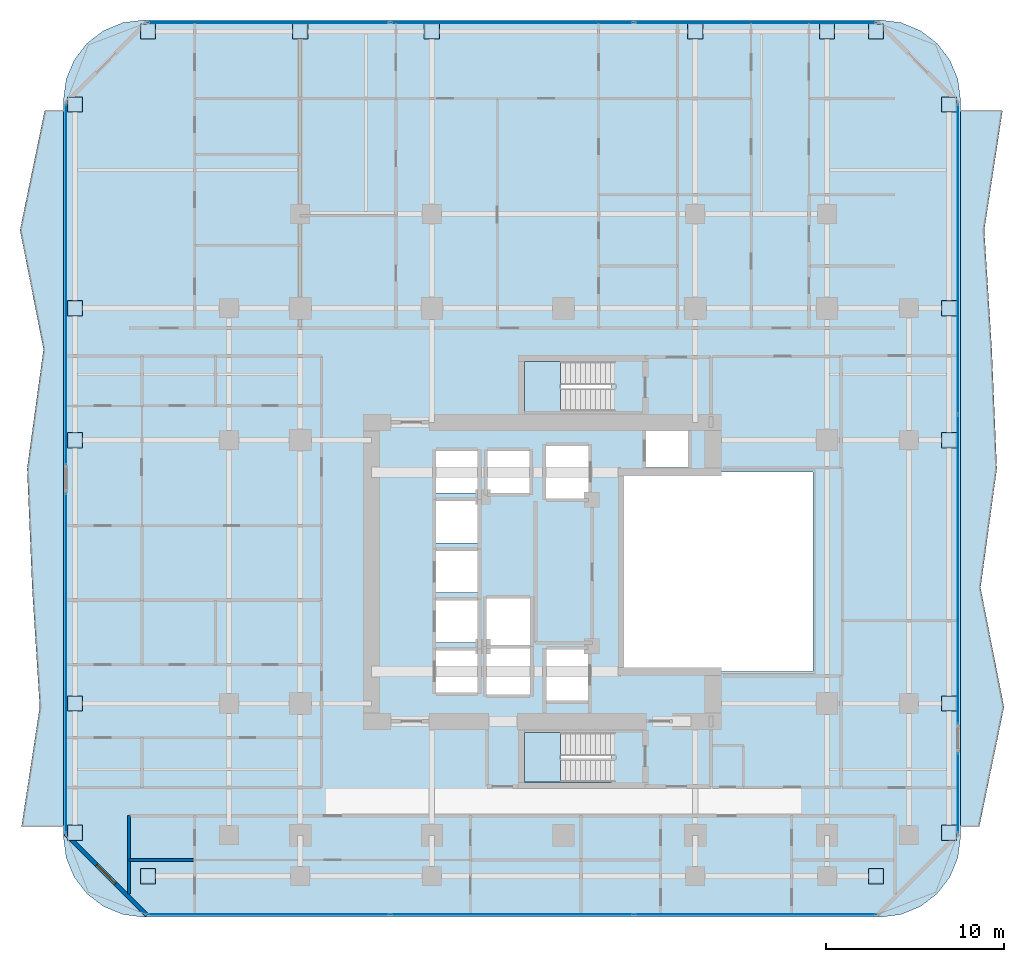
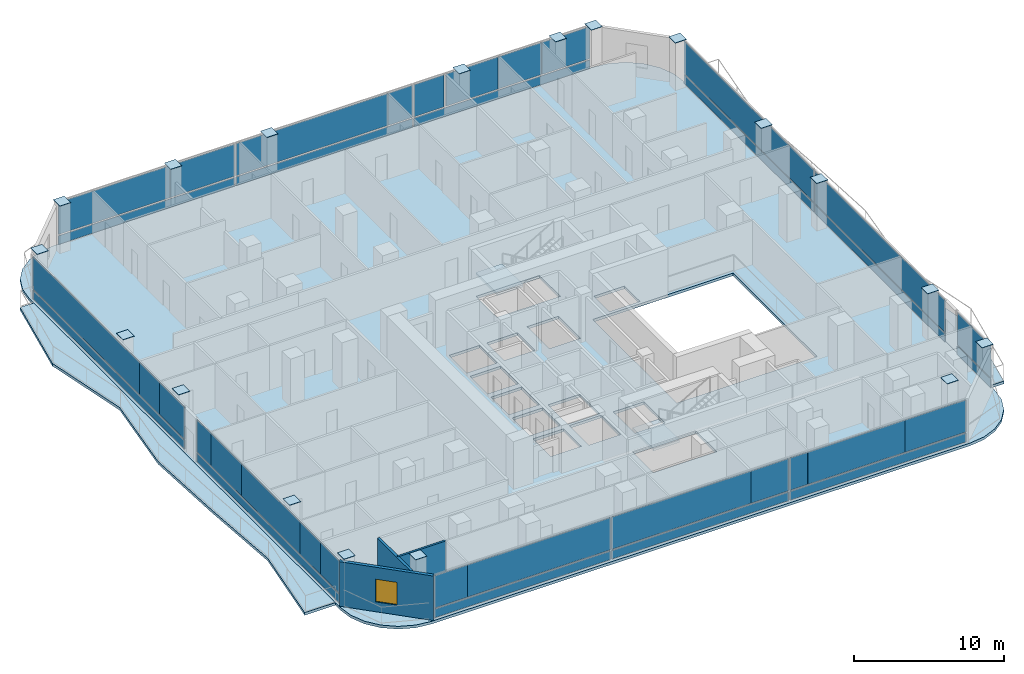
# One storey, part 18 of 28: 55 plates, 5 slabs, 3 walls, 1 window, 1 opening, 8 elements without a shape of their own.
"""IFC4 building model written with IfcOpenShell, lengths in metres."""

import ifcopenshell
import ifcopenshell.guid

model = None  # the IFC model being written
_history = None  # IfcOwnerHistory: only IFC2X3 demands one
_inside = {}  # id of a spatial element -> (the spatial element, [elements in it])
_under = {}  # id of a project, library or spatial element -> (it, [spatial elements below it])
_declared = {}  # id of a project -> (the project, [libraries it declares])
_typed = {}  # id of a type object -> (the type object, [elements of that type])
_made_of = {}  # id of a material, layer set ... -> (it, [elements and type objects made of it])


def new_model(schema):
    """Start an empty IFC model of exactly this schema.

    Asked for "IFC4X3", IfcOpenShell would pick the latest addendum, in which some entities
    have other attributes; the version numbers below select the first issue.
    IFC2X3 requires an IfcOwnerHistory on every rooted entity: one is made here for all.
    """
    global model, _history
    if schema == "IFC4X3":
        model = ifcopenshell.file(schema_version=(4, 3, 0, 0))
    else:
        model = ifcopenshell.file(schema=schema)
    _inside.clear()
    _under.clear()
    _declared.clear()
    _typed.clear()
    _made_of.clear()
    _history = None
    if model.schema == "IFC2X3":
        org = make("IfcOrganization", Name="unknown")
        user = make(
            "IfcPersonAndOrganization",
            ThePerson=make("IfcPerson", FamilyName="unknown"),
            TheOrganization=org,
        )
        app = make(
            "IfcApplication",
            ApplicationDeveloper=org,
            Version="unknown",
            ApplicationFullName="unknown",
            ApplicationIdentifier="unknown",
        )
        _history = make(
            "IfcOwnerHistory",
            OwningUser=user,
            OwningApplication=app,
            ChangeAction="ADDED",
            CreationDate=0,
        )
    return model


def make(cls, **values):
    """One entity of the class cls with the attributes given. An attribute that is None is left unset."""
    return model.create_entity(
        cls, **{name: value for name, value in values.items() if value is not None}
    )


def rooted(cls, **values):
    """An entity with a GlobalId (a new one), such as an element, a storey or a relation."""
    return make(cls, GlobalId=ifcopenshell.guid.new(), OwnerHistory=_history, **values)


def si_unit(unit_type, name, prefix=None):
    """IfcSIUnit, for example si_unit("LENGTHUNIT", "METRE", prefix="MILLI")."""
    return make("IfcSIUnit", UnitType=unit_type, Prefix=prefix, Name=name)


def assignment(units):
    """IfcUnitAssignment: the units of a project."""
    return None if units is None else make("IfcUnitAssignment", Units=units)


def point(xyz):
    """IfcCartesianPoint."""
    return None if xyz is None else make("IfcCartesianPoint", Coordinates=xyz)


def direction(xyz):
    """IfcDirection."""
    return None if xyz is None else make("IfcDirection", DirectionRatios=xyz)


def frame(location, z_axis=None, x_axis=None):
    """IfcAxis2Placement3D, a coordinate frame: its origin and axes. An axis left out is left unset."""
    return make(
        "IfcAxis2Placement3D",
        Location=point(location),
        Axis=direction(z_axis),
        RefDirection=direction(x_axis),
    )


def frame_2d(location, x_axis=None):
    """IfcAxis2Placement2D, a coordinate frame in the plane: its origin and x axis."""
    return make(
        "IfcAxis2Placement2D", Location=point(location), RefDirection=direction(x_axis)
    )


def origin():
    """The frame at (0, 0, 0) with its axes left unset."""
    return frame((0.0, 0.0, 0.0))


def origin_2d():
    """The frame at (0, 0) in the plane with its x axis left unset."""
    return frame_2d((0.0, 0.0))


def place(relative_to, where):
    """IfcLocalPlacement: puts the frame where relative to a parent placement (None: the world)."""
    return make(
        "IfcLocalPlacement", PlacementRelTo=relative_to, RelativePlacement=where
    )


def context(
    kind, dimensions, precision=None, world=None, true_north=None, identifier=None
):
    """IfcGeometricRepresentationContext, for example the 3D "Model" context."""
    return make(
        "IfcGeometricRepresentationContext",
        ContextIdentifier=identifier,
        ContextType=kind,
        CoordinateSpaceDimension=dimensions,
        Precision=precision,
        WorldCoordinateSystem=world,
        TrueNorth=true_north,
    )


def subcontext(parent, identifier, kind, view, scale=None):
    """IfcGeometricRepresentationSubContext, for example "Body" below "Model"."""
    return make(
        "IfcGeometricRepresentationSubContext",
        ContextIdentifier=identifier,
        ContextType=kind,
        ParentContext=parent,
        TargetScale=scale,
        TargetView=view,
    )


def project(units=None, contexts=None):
    """IfcProject with its units and contexts."""
    return rooted(
        "IfcProject",
        Name="project",
        RepresentationContexts=contexts,
        UnitsInContext=assignment(units),
    )


def spatial(cls, under=None, at=None, **own):
    """A site, building, storey or space (cls), placed at a placement, below another one or the project."""
    s = rooted(cls, ObjectPlacement=at, **own)
    if under is not None:
        _under.setdefault(under.id(), (under, []))[1].append(s)
    return s


def polyline(points):
    """IfcPolyline through the points."""
    return make("IfcPolyline", Points=[point(p) for p in points])


def profile(cls, at=None, kind="AREA", **sizes):
    """A parametric profile (cls). Its sizes go by their IFC names, for example OverallWidth=200.0."""
    return make(cls, ProfileType=kind, Position=at, **sizes)


def rectangle(**sizes):
    """IfcRectangleProfileDef."""
    return profile("IfcRectangleProfileDef", **sizes)


def outline(outer, holes=None, kind="AREA"):
    """IfcArbitraryClosedProfileDef: a profile drawn as a closed curve; with holes, ...WithVoids."""
    if holes is None:
        return make("IfcArbitraryClosedProfileDef", ProfileType=kind, OuterCurve=outer)
    return make(
        "IfcArbitraryProfileDefWithVoids",
        ProfileType=kind,
        OuterCurve=outer,
        InnerCurves=holes,
    )


def extrude(swept, where, along, depth):
    """IfcExtrudedAreaSolid: the profile swept, set in the frame where, extruded along a direction by depth."""
    return make(
        "IfcExtrudedAreaSolid",
        SweptArea=swept,
        Position=where,
        ExtrudedDirection=direction(along),
        Depth=depth,
    )


def shape(context_of_items, identifier, shape_type, items):
    """IfcShapeRepresentation: the items that make up one representation, for example the "Body"."""
    return make(
        "IfcShapeRepresentation",
        ContextOfItems=context_of_items,
        RepresentationIdentifier=identifier,
        RepresentationType=shape_type,
        Items=items,
    )


def material(Name=None, Category=None):
    """IfcMaterial."""
    return make("IfcMaterial", Name=Name, Category=Category)


def layer(
    of_material, thickness, ventilated=None, Name=None, Category=None, Priority=None
):
    """IfcMaterialLayer: one layer of a wall or slab, of a material (None: an air gap)."""
    return make(
        "IfcMaterialLayer",
        Material=of_material,
        LayerThickness=thickness,
        IsVentilated=ventilated,
        Name=Name,
        Category=Category,
        Priority=Priority,
    )


def layer_set(layers, Name=None):
    """IfcMaterialLayerSet."""
    return make("IfcMaterialLayerSet", MaterialLayers=layers, LayerSetName=Name)


def made_of(thing, what):
    """Note that an element or type object is made of a material, layer set ...; save() writes the relation."""
    if what is not None:
        _made_of.setdefault(what.id(), (what, []))[1].append(thing)
    return thing


def type_object(cls, material=None, **own):
    """A type object (cls), such as IfcWallType, which elements share."""
    return made_of(rooted(cls, **own), material)


def element(
    cls,
    number,
    at=None,
    inside=None,
    cuts=None,
    type_object=None,
    material=None,
    context=None,
    identifier="Body",
    shape_type=None,
    held_by="IfcProductDefinitionShape",
    body=None,
    shapes=None,
    **own,
):
    """One element of the class cls, such as IfcWall. Its Tag is "e" and its number.

    at: its placement. inside: the storey or other place that contains it. cuts: it is an
    opening in that element (IfcRelVoidsElement). A single representation is given by context,
    identifier, shape_type and body (its items); several are given by shapes. held_by: the class
    of the entity that holds the representations. save() writes the other relations.
    """
    e = rooted(cls, Tag="e%d" % number, ObjectPlacement=at, **own)
    if body is not None:
        shapes = [shape(context, identifier, shape_type, body)]
    if shapes is not None:
        e.Representation = make(held_by, Representations=shapes)
    if inside is not None:
        _inside.setdefault(inside.id(), (inside, []))[1].append(e)
    if cuts is not None:
        rooted(
            "IfcRelVoidsElement", RelatingBuildingElement=cuts, RelatedOpeningElement=e
        )
    if type_object is not None:
        _typed.setdefault(type_object.id(), (type_object, []))[1].append(e)
    return made_of(e, material)


def fill(opening, filler):
    """IfcRelFillsElement: the door or window that sits in an opening."""
    return rooted(
        "IfcRelFillsElement",
        RelatingOpeningElement=opening,
        RelatedBuildingElement=filler,
    )


def aggregate(whole, parts):
    """IfcRelAggregates: a whole, such as a stair, and the parts it consists of."""
    return rooted("IfcRelAggregates", RelatingObject=whole, RelatedObjects=parts)


def save(model, path):
    """Write the relations noted so far, then the file.

    IfcRelAggregates (storeys below a building ...), IfcRelContainedInSpatialStructure (elements
    in a storey), IfcRelDefinesByType, IfcRelAssociatesMaterial and IfcRelDeclares: one each for
    every whole, place, type object, material and project.
    """
    for whole, parts in _under.values():
        aggregate(whole, parts)
    for where, things in _inside.values():
        rooted(
            "IfcRelContainedInSpatialStructure",
            RelatedElements=things,
            RelatingStructure=where,
        )
    for kind, things in _typed.values():
        rooted("IfcRelDefinesByType", RelatedObjects=things, RelatingType=kind)
    for what, things in _made_of.values():
        rooted("IfcRelAssociatesMaterial", RelatedObjects=things, RelatingMaterial=what)
    for by, libraries in _declared.values():
        rooted("IfcRelDeclares", RelatingContext=by, RelatedDefinitions=libraries)
    model.write(path)


model = new_model("IFC4")

# Units and contexts
model_context = context("Model", 3, precision=1e-05, world=origin(), true_north=direction((0.0, 1.0)))
body_context = subcontext(model_context, "Body", "Model", "MODEL_VIEW")
ifc_project = project(units=[si_unit("LENGTHUNIT", "METRE"), si_unit("AREAUNIT", "SQUARE_METRE"), si_unit("VOLUMEUNIT", "CUBIC_METRE"), si_unit("PLANEANGLEUNIT", "RADIAN"), si_unit("MASSUNIT", "GRAM", prefix="KILO")], contexts=[model_context])

# Site, building, storey
site_placement = place(None, origin())
site = spatial("IfcSite", under=ifc_project, at=site_placement, CompositionType="ELEMENT")
building_placement = place(site_placement, origin())
building = spatial("IfcBuilding", under=site, at=building_placement, Name="Khorvyn Point Tower", CompositionType="ELEMENT")
storey_placement = place(building_placement, frame((0.0, 0.0, 104.699951171875)))
storey = spatial("IfcBuildingStorey", under=building, at=storey_placement, Name="L26", CompositionType="ELEMENT", Elevation=104.699951171875)

# Slabs
ifc_material_1 = material(Name="Concrete C35/45", Category="concrete")
ifc_layer_1 = layer(ifc_material_1, 0.219970703125)
ifc_layer_set_1 = layer_set([ifc_layer_1], Name="Concrete C35/45 Structural Floor Slab 220")
slab_type_1 = type_object("IfcSlabType", Name="Concrete C35/45 Structural Floor Slab 220", PredefinedType="FLOOR", material=ifc_layer_set_1)
slab_1_placement = place(storey_placement, frame((0.0, 0.0, -0.219970703125)))
element("IfcSlab", 1, at=slab_1_placement, inside=storey, type_object=slab_type_1, Name="L26 Main Structural Floor Slab", PredefinedType="FLOOR", context=body_context, shape_type="SweptSolid", body=[
    extrude(outline(polyline([(-23.60009765625, -19.39990234375), (-24.7646484375, -19.24658203125), (-25.85009765625, -18.797119140625), (-26.781982421875, -18.08203125), (-27.4970703125, -17.14990234375), (-27.94677734375, -16.064697265625), (-28.10009765625, -14.89990234375), (-28.10009765625, 26.5), (-27.94677734375, 27.664794921875), (-27.4970703125, 28.75), (-26.781982421875, 29.681884765625), (-25.85009765625, 30.397216796875), (-24.7646484375, 30.8466796875), (-23.60009765625, 31.0), (17.800048828125, 31.0), (18.964599609375, 30.8466796875), (20.050048828125, 30.397216796875), (20.98193359375, 29.681884765625), (21.697021484375, 28.75), (22.146728515625, 27.664794921875), (22.300048828125, 26.5), (22.300048828125, -14.89990234375), (22.146728515625, -16.064697265625), (21.697021484375, -17.14990234375), (20.98193359375, -18.08203125), (20.050048828125, -18.797119140625), (18.964599609375, -19.24658203125), (17.800048828125, -19.39990234375), (-23.60009765625, -19.39990234375)]), holes=[polyline([(-4.824951171875, -6.77490234375), (-4.824951171875, -4.425048828125), (-7.175048828125, -4.425048828125), (-7.175048828125, -6.77490234375), (-4.824951171875, -6.77490234375)]), polyline([(-4.324951171875, -6.89990234375), (-1.875, -6.89990234375), (-1.875, -4.300048828125), (-4.324951171875, -4.300048828125), (-4.324951171875, -6.89990234375)]), polyline([(-7.175048828125, -3.97509765625), (-4.824951171875, -3.97509765625), (-4.824951171875, -1.625), (-7.175048828125, -1.625), (-7.175048828125, -3.97509765625)]), polyline([(-7.175048828125, -1.175048828125), (-4.824951171875, -1.175048828125), (-4.824951171875, 1.175048828125), (-7.175048828125, 1.175048828125), (-7.175048828125, -1.175048828125)]), polyline([(-7.175048828125, 1.625), (-4.824951171875, 1.625), (-4.824951171875, 3.97509765625), (-7.175048828125, 3.97509765625), (-7.175048828125, 1.625)]), polyline([(-7.175048828125, 4.425048828125), (-4.824951171875, 4.425048828125), (-4.824951171875, 6.77490234375), (-7.175048828125, 6.77490234375), (-7.175048828125, 4.425048828125)]), polyline([(-4.27490234375, 4.425048828125), (-1.925048828125, 4.425048828125), (-1.925048828125, 6.77490234375), (-4.27490234375, 6.77490234375), (-4.27490234375, 4.425048828125)]), polyline([(2.679931640625, -11.820068359375), (2.679931640625, -9.02001953125), (-2.199951171875, -9.02001953125), (-2.199951171875, -11.820068359375), (2.679931640625, -11.820068359375)]), polyline([(-0.97509765625, -7.22509765625), (1.375, -7.22509765625), (1.375, -4.375), (-0.97509765625, -4.375), (-0.97509765625, -7.22509765625)]), polyline([(-4.324951171875, -4.10009765625), (-1.875, -4.10009765625), (-1.875, -1.5), (-4.324951171875, -1.5), (-4.324951171875, -4.10009765625)]), polyline([(3.199951171875, -5.60009765625), (14.0, -5.60009765625), (14.0, 5.60009765625), (3.199951171875, 5.60009765625), (3.199951171875, -5.60009765625)]), polyline([(-1.0, 4.125), (1.39990234375, 4.125), (1.39990234375, 7.074951171875), (-1.0, 7.074951171875), (-1.0, 4.125)]), polyline([(4.625, 5.85009765625), (6.97509765625, 5.85009765625), (6.97509765625, 7.905029296875), (4.625, 7.905029296875), (4.625, 5.85009765625)]), polyline([(-2.199951171875, 9.02001953125), (2.679931640625, 9.02001953125), (2.679931640625, 11.820068359375), (-2.199951171875, 11.820068359375), (-2.199951171875, 9.02001953125)])]), origin(), (0.0, 0.0, 1.0), 0.219970703125),
])
ifc_material_2 = material(Name="Concrete C40/50", Category="concrete")
ifc_layer_2 = layer(ifc_material_2, 0.2099609375)
ifc_layer_set_2 = layer_set([ifc_layer_2], Name="Concrete C40/50 Rippling Balcony Slab 210")
slab_type_2 = type_object("IfcSlabType", Name="Concrete C40/50 Rippling Balcony Slab 210", PredefinedType="USERDEFINED", material=ifc_layer_set_2)
slab_2_placement = place(storey_placement, frame((0.0, 0.0, -0.2099609375)))
element("IfcSlab", 2, at=slab_2_placement, inside=storey, type_object=slab_type_2, Name="L26 East Sinusoidal Rippling Balcony", ObjectType="BALCONY", PredefinedType="USERDEFINED", context=body_context, shape_type="SweptSolid", body=[
    extrude(outline(polyline([(22.300048828125, -14.300048828125), (23.355224609375, -14.300048828125), (24.739501953125, -7.60009765625), (23.419921875, -0.89990234375), (24.338134765625, 5.800048828125), (24.055419921875, 12.5), (23.630615234375, 19.199951171875), (24.654541015625, 25.89990234375), (22.300048828125, 25.89990234375), (22.300048828125, -14.300048828125)])), origin(), (0.0, 0.0, 1.0), 0.2099609375),
])
slab_3_placement = place(storey_placement, frame((0.0, 0.0, -0.2099609375)))
element("IfcSlab", 3, at=slab_3_placement, inside=storey, type_object=slab_type_2, Name="L26 West Sinusoidal Rippling Balcony", ObjectType="BALCONY", PredefinedType="USERDEFINED", context=body_context, shape_type="SweptSolid", body=[
    extrude(outline(polyline([(-28.10009765625, 25.89990234375), (-29.1552734375, 25.89990234375), (-30.53955078125, 19.199951171875), (-29.219970703125, 12.5), (-30.13818359375, 5.800048828125), (-29.85546875, -0.89990234375), (-29.4306640625, -7.60009765625), (-30.45458984375, -14.300048828125), (-28.10009765625, -14.300048828125), (-28.10009765625, 25.89990234375)])), origin(), (0.0, 0.0, 1.0), 0.2099609375),
])

# Stair, slab
stair_type = type_object("IfcStairType", Name="Tower Concrete C40/50 Dogleg Exit Stair", PredefinedType="HALF_TURN_STAIR", material=ifc_material_2)
stair_1_placement = place(storey_placement, origin())
stair_1 = element("IfcStair", 4, at=stair_1_placement, inside=storey, type_object=stair_type, Name="L26 Tower Smokeproof Exit Stair South", PredefinedType="HALF_TURN_STAIR")
ifc_layer_3 = layer(ifc_material_2, 0.199951171875)
ifc_layer_set_3 = layer_set([ifc_layer_3], Name="Concrete C40/50 Stair Landing Slab 200")
slab_type_3 = type_object("IfcSlabType", Name="Concrete C40/50 Stair Landing Slab 200", PredefinedType="LANDING", material=ifc_layer_set_3)
slab_4_placement = place(storey_placement, frame((0.0, 0.0, 1.75)))
slab_4 = element("IfcSlab", 5, at=slab_4_placement, type_object=slab_type_3, Name="ST-01 landing 1", PredefinedType="LANDING", context=body_context, shape_type="SweptSolid", body=[
    extrude(outline(polyline([(-0.179931640625, -9.02001953125), (-2.199951171875, -9.02001953125), (-2.199951171875, -11.820068359375), (-0.179931640625, -11.820068359375), (-0.179931640625, -9.02001953125)])), origin(), (0.0, 0.0, 1.0), 0.199951171875),
])
aggregate(stair_1, [slab_4])

stair_2_placement = place(storey_placement, origin())
stair_2 = element("IfcStair", 6, at=stair_2_placement, inside=storey, type_object=stair_type, Name="L26 Tower Smokeproof Exit Stair North", PredefinedType="HALF_TURN_STAIR")
slab_5_placement = place(storey_placement, frame((0.0, 0.0, 1.75)))
slab_5 = element("IfcSlab", 7, at=slab_5_placement, type_object=slab_type_3, Name="ST-02 landing 1", PredefinedType="LANDING", context=body_context, shape_type="SweptSolid", body=[
    extrude(outline(polyline([(-0.179931640625, 11.820068359375), (-2.199951171875, 11.820068359375), (-2.199951171875, 9.02001953125), (-0.179931640625, 9.02001953125), (-0.179931640625, 11.820068359375)])), origin(), (0.0, 0.0, 1.0), 0.199951171875),
])
aggregate(stair_2, [slab_5])

# Curtain wall, plates
ifc_material_3 = material(Name="Anodised aluminium 6063-T6 and laminated Low-E glass", Category="aluminium")
ifc_layer_4 = layer(ifc_material_3, 0.18994140625)
ifc_layer_set_4 = layer_set([ifc_layer_4], Name="Stick-Built Finned Residential Curtain Wall CW-SYS-02")
curtain_wall_type = type_object("IfcCurtainWallType", Name="Stick-Built Finned Residential Curtain Wall CW-SYS-02", PredefinedType="NOTDEFINED", material=ifc_layer_set_4)
curtain_wall_1_placement = place(storey_placement, origin())
curtain_wall_1 = element("IfcCurtainWall", 8, at=curtain_wall_1_placement, inside=storey, type_object=curtain_wall_type, Name="Curtain Wall", PredefinedType="NOTDEFINED")
ifc_material_4 = material(Name="Pale anodised aluminium 5005", Category="aluminium")
ifc_layer_5 = layer(ifc_material_4, 0.0400390625)
ifc_layer_set_5 = layer_set([ifc_layer_5], Name="Pale Champagne Aluminium Insulated Spandrel Panel CW-SP40")
plate_type_1 = type_object("IfcPlateType", Name="Pale Champagne Aluminium Insulated Spandrel Panel CW-SP40", PredefinedType="SHEET", material=ifc_layer_set_5)
plate_1_placement = place(storey_placement, frame((10.77490234375, -19.25, 0.10009765625), z_axis=(0.0, 0.0, 1.0), x_axis=(-1.0, 0.0, 0.0)))
plate_1 = element("IfcPlate", 9, at=plate_1_placement, type_object=plate_type_1, Name="Panel", PredefinedType="SHEET", context=body_context, shape_type="SweptSolid", body=[
    extrude(rectangle(XDim=13.550048828125, YDim=0.0400390625, at=origin_2d()), origin(), (0.0, 0.0, 1.0), 0.699951171875),
])
plate_2_placement = place(storey_placement, frame((-2.89990234375, -19.25, 0.10009765625), z_axis=(0.0, 0.0, 1.0), x_axis=(-1.0, 0.0, 0.0)))
plate_2 = element("IfcPlate", 10, at=plate_2_placement, type_object=plate_type_1, Name="Panel", PredefinedType="SHEET", context=body_context, shape_type="SweptSolid", body=[
    extrude(rectangle(XDim=13.60009765625, YDim=0.0400390625, at=origin_2d()), origin(), (0.0, 0.0, 1.0), 0.699951171875),
])
plate_3_placement = place(storey_placement, frame((-16.574951171875, -19.25, 0.10009765625), z_axis=(0.0, 0.0, 1.0), x_axis=(-1.0, 0.0, 0.0)))
plate_3 = element("IfcPlate", 11, at=plate_3_placement, type_object=plate_type_1, Name="Panel", PredefinedType="SHEET", context=body_context, shape_type="SweptSolid", body=[
    extrude(rectangle(XDim=13.550048828125, YDim=0.0400390625, at=origin_2d()), origin(), (0.0, 0.0, 1.0), 0.699951171875),
])

curtain_wall_2_placement = place(storey_placement, origin())
curtain_wall_2 = element("IfcCurtainWall", 12, at=curtain_wall_2_placement, inside=storey, type_object=curtain_wall_type, Name="Curtain Wall", PredefinedType="NOTDEFINED")
plate_4_placement = place(storey_placement, frame((-16.574951171875, 30.85009765625, 0.10009765625), z_axis=(0.0, 0.0, 1.0), x_axis=(1.0, 0.0, 0.0)))
plate_4 = element("IfcPlate", 13, at=plate_4_placement, type_object=plate_type_1, Name="Panel", PredefinedType="SHEET", context=body_context, shape_type="SweptSolid", body=[
    extrude(rectangle(XDim=13.550048828125, YDim=0.0400390625, at=origin_2d()), origin(), (0.0, 0.0, 1.0), 0.699951171875),
])
plate_5_placement = place(storey_placement, frame((-2.89990234375, 30.85009765625, 0.10009765625), z_axis=(0.0, 0.0, 1.0), x_axis=(1.0, 0.0, 0.0)))
plate_5 = element("IfcPlate", 14, at=plate_5_placement, type_object=plate_type_1, Name="Panel", PredefinedType="SHEET", context=body_context, shape_type="SweptSolid", body=[
    extrude(rectangle(XDim=13.60009765625, YDim=0.0400390625, at=origin_2d()), origin(), (0.0, 0.0, 1.0), 0.699951171875),
])
plate_6_placement = place(storey_placement, frame((10.77490234375, 30.85009765625, 0.10009765625), z_axis=(0.0, 0.0, 1.0), x_axis=(1.0, 0.0, 0.0)))
plate_6 = element("IfcPlate", 15, at=plate_6_placement, type_object=plate_type_1, Name="Panel", PredefinedType="SHEET", context=body_context, shape_type="SweptSolid", body=[
    extrude(rectangle(XDim=13.550048828125, YDim=0.0400390625, at=origin_2d()), origin(), (0.0, 0.0, 1.0), 0.699951171875),
])

# Curtain wall, plate
curtain_wall_3_placement = place(storey_placement, origin())
curtain_wall_3 = element("IfcCurtainWall", 16, at=curtain_wall_3_placement, inside=storey, type_object=curtain_wall_type, Name="Curtain Wall", PredefinedType="NOTDEFINED")
plate_7_placement = place(storey_placement, frame((-27.949951171875, -5.1298828125, 0.10009765625), z_axis=(0.0, 0.0, 1.0), x_axis=(0.0, 1.0, 0.0)))
plate_7 = element("IfcPlate", 17, at=plate_7_placement, type_object=plate_type_1, Name="Panel", PredefinedType="SHEET", context=body_context, shape_type="SweptSolid", body=[
    extrude(rectangle(XDim=19.0400390625, YDim=0.0400390625, at=origin_2d()), origin(), (0.0, 0.0, 1.0), 0.699951171875),
])

curtain_wall_4_placement = place(storey_placement, origin())
curtain_wall_4 = element("IfcCurtainWall", 18, at=curtain_wall_4_placement, inside=storey, type_object=curtain_wall_type, Name="Curtain Wall", PredefinedType="NOTDEFINED")
plate_8_placement = place(storey_placement, frame((-27.949951171875, 16.139892578125, 0.10009765625), z_axis=(0.0, 0.0, 1.0), x_axis=(0.0, 1.0, 0.0)))
plate_8 = element("IfcPlate", 19, at=plate_8_placement, type_object=plate_type_1, Name="Panel", PredefinedType="SHEET", context=body_context, shape_type="SweptSolid", body=[
    extrude(rectangle(XDim=20.219970703125, YDim=0.0400390625, at=origin_2d()), origin(), (0.0, 0.0, 1.0), 0.699951171875),
])

# Curtain wall, plates
curtain_wall_5_placement = place(storey_placement, origin())
curtain_wall_5 = element("IfcCurtainWall", 20, at=curtain_wall_5_placement, inside=storey, type_object=curtain_wall_type, Name="Curtain Wall", PredefinedType="NOTDEFINED")
plate_9_placement = place(storey_placement, frame((22.14990234375, 17.57568359375, 0.10009765625), z_axis=(0.0, 0.0, 1.0), x_axis=(0.0, -1.0, 0.0)))
plate_9 = element("IfcPlate", 21, at=plate_9_placement, type_object=plate_type_1, Name="Panel", PredefinedType="SHEET", context=body_context, shape_type="SweptSolid", body=[
    extrude(rectangle(XDim=17.348388671875, YDim=0.0400390625, at=origin_2d()), origin(), (0.0, 0.0, 1.0), 0.699951171875),
])
plate_10_placement = place(storey_placement, frame((22.14990234375, 0.127197265625, 0.10009765625), z_axis=(0.0, 0.0, 1.0), x_axis=(0.0, -1.0, 0.0)))
plate_10 = element("IfcPlate", 22, at=plate_10_placement, type_object=plate_type_1, Name="Panel", PredefinedType="SHEET", context=body_context, shape_type="SweptSolid", body=[
    extrude(rectangle(XDim=17.348388671875, YDim=0.0400390625, at=origin_2d()), origin(), (0.0, 0.0, 1.0), 0.699951171875),
])

# Curtain wall, plate
curtain_wall_6_placement = place(storey_placement, origin())
curtain_wall_6 = element("IfcCurtainWall", 23, at=curtain_wall_6_placement, inside=storey, type_object=curtain_wall_type, Name="Curtain Wall", PredefinedType="NOTDEFINED")
plate_11_placement = place(storey_placement, frame((22.14990234375, -12.41845703125, 0.10009765625), z_axis=(0.0, 0.0, 1.0), x_axis=(0.0, -1.0, 0.0)))
plate_11 = element("IfcPlate", 24, at=plate_11_placement, type_object=plate_type_1, Name="Panel", PredefinedType="SHEET", context=body_context, shape_type="SweptSolid", body=[
    extrude(rectangle(XDim=4.462890625, YDim=0.0400390625, at=origin_2d()), origin(), (0.0, 0.0, 1.0), 0.699951171875),
])

# Plates
ifc_material_5 = material(Name="Steel S450", Category="steel")
ifc_layer_6 = layer(ifc_material_5, 0.031982421875)
ifc_layer_set_6 = layer_set([ifc_layer_6], Name="Steel S450 Exoskeleton End Cap Plate 32")
plate_type_2 = type_object("IfcPlateType", Name="Steel S450 Exoskeleton End Cap Plate 32", PredefinedType="USERDEFINED", material=ifc_layer_set_6)
for number, where, z_axis, x_axis, name in (
    (25, (-23.35009765625, -17.10009765625, 3.89404296875), (0.0, 0.0, 1.0), (1.0, 0.0, 0.0), "Plate"),
    (26, (17.550048828125, -17.10009765625, 3.89404296875), (0.0, 0.0, 1.0), (1.0, 0.0, 0.0), "Plate"),
    (27, (-23.35009765625, 30.35009765625, 3.89404296875), (0.0, 0.0, 1.0), (1.0, 0.0, 0.0), "Plate"),
    (28, (17.550048828125, 30.35009765625, 3.89404296875), (0.0, 0.0, 1.0), (1.0, 0.0, 0.0), "Plate"),
    (29, (-27.449951171875, -14.64990234375, 3.89404296875), (0.0, 0.0, 1.0), (1.0, 0.0, 0.0), "Plate"),
    (30, (-27.449951171875, 26.25, 3.89404296875), (0.0, 0.0, 1.0), (1.0, 0.0, 0.0), "Plate"),
    (31, (21.64990234375, -14.64990234375, 3.89404296875), (0.0, 0.0, 1.0), (1.0, 0.0, 0.0), "Plate"),
    (32, (21.64990234375, 26.25, 3.89404296875), (0.0, 0.0, 1.0), (1.0, 0.0, 0.0), "Plate"),
    (33, (-14.800048828125, 30.35009765625, 3.89404296875), (0.0, 0.0, 1.0), (1.0, 0.0, 0.0), "Plate"),
    (34, (-7.39990234375, 30.35009765625, 3.89404296875), (0.0, 0.0, 1.0), (1.0, 0.0, 0.0), "Plate"),
    (35, (7.39990234375, 30.35009765625, 3.89404296875), (0.0, 0.0, 1.0), (1.0, 0.0, 0.0), "Plate"),
    (36, (14.800048828125, 30.35009765625, 3.89404296875), (0.0, 0.0, 1.0), (1.0, 0.0, 0.0), "Plate"),
    (37, (-27.449951171875, -7.39990234375, 3.89404296875), (0.0, 0.0, 1.0), (1.0, 0.0, 0.0), "Plate"),
    (38, (21.64990234375, -7.39990234375, 3.89404296875), (0.0, 0.0, 1.0), (1.0, 0.0, 0.0), "Plate"),
    (39, (-27.449951171875, 7.39990234375, 3.89404296875), (0.0, 0.0, 1.0), (1.0, 0.0, 0.0), "Plate"),
    (40, (21.64990234375, 7.39990234375, 3.89404296875), (0.0, 0.0, 1.0), (1.0, 0.0, 0.0), "Plate"),
    (41, (-27.449951171875, 14.800048828125, 3.89404296875), (0.0, 0.0, 1.0), (1.0, 0.0, 0.0), "Plate"),
    (42, (21.64990234375, 14.800048828125, 3.89404296875), (0.0, 0.0, 1.0), (1.0, 0.0, 0.0), "Plate"),
):
    element("IfcPlate", number, at=place(storey_placement, frame(where, z_axis=z_axis, x_axis=x_axis)), inside=storey, type_object=plate_type_2, Name=name, ObjectType="GUSSET", PredefinedType="USERDEFINED", context=body_context, shape_type="SweptSolid", body=[
        extrude(rectangle(XDim=0.860107421875, YDim=0.860107421875, at=origin_2d()), origin(), (0.0, 0.0, 1.0), 0.031982421875),
    ])

# Plate
ifc_material_6 = material(Name="Laminated Low-E insulated glass", Category="glass")
ifc_layer_7 = layer(ifc_material_6, 0.028076171875)
ifc_layer_set_7 = layer_set([ifc_layer_7], Name="Tempered Low-E Vision Glazing Panel CW-GL28")
plate_type_3 = type_object("IfcPlateType", Name="Tempered Low-E Vision Glazing Panel CW-GL28", PredefinedType="CURTAIN_PANEL", material=ifc_layer_set_7)
plate_12_placement = place(storey_placement, frame((4.695068359375, -19.25, 0.89990234375), z_axis=(0.0, 0.0, 1.0), x_axis=(-1.0, 0.0, 0.0)))
plate_12 = element("IfcPlate", 43, at=plate_12_placement, type_object=plate_type_3, Name="Panel", PredefinedType="CURTAIN_PANEL", context=body_context, shape_type="SweptSolid", body=[
    extrude(rectangle(XDim=1.382080078125, YDim=0.028076171875, at=origin_2d()), origin(), (0.0, 0.0, 1.0), 2.6201171875),
])

plate_13_placement = place(storey_placement, frame((9.132080078125, -19.25, 0.89990234375), z_axis=(0.0, 0.0, 1.0), x_axis=(-1.0, 0.0, 0.0)))
plate_13 = element("IfcPlate", 44, at=plate_13_placement, type_object=plate_type_3, Name="Panel", PredefinedType="CURTAIN_PANEL", context=body_context, shape_type="SweptSolid", body=[
    extrude(rectangle(XDim=7.47607421875, YDim=0.028076171875, at=origin_2d()), origin(), (0.0, 0.0, 1.0), 2.6201171875),
])

plate_14_placement = place(storey_placement, frame((15.2119140625, -19.25, 0.89990234375), z_axis=(0.0, 0.0, 1.0), x_axis=(-1.0, 0.0, 0.0)))
plate_14 = element("IfcPlate", 45, at=plate_14_placement, type_object=plate_type_3, Name="Panel", PredefinedType="CURTAIN_PANEL", context=body_context, shape_type="SweptSolid", body=[
    extrude(rectangle(XDim=4.66796875, YDim=0.028076171875, at=origin_2d()), origin(), (0.0, 0.0, 1.0), 2.6201171875),
])

plate_15_placement = place(storey_placement, frame((-4.3330078125, -19.25, 0.89990234375), z_axis=(0.0, 0.0, 1.0), x_axis=(-1.0, 0.0, 0.0)))
plate_15 = element("IfcPlate", 46, at=plate_15_placement, type_object=plate_type_3, Name="Panel", PredefinedType="CURTAIN_PANEL", context=body_context, shape_type="SweptSolid", body=[
    extrude(rectangle(XDim=10.72607421875, YDim=0.028076171875, at=origin_2d()), origin(), (0.0, 0.0, 1.0), 2.6201171875),
])

plate_16_placement = place(storey_placement, frame((2.467041015625, -19.25, 0.89990234375), z_axis=(0.0, 0.0, 1.0), x_axis=(-1.0, 0.0, 0.0)))
plate_16 = element("IfcPlate", 47, at=plate_16_placement, type_object=plate_type_3, Name="Panel", PredefinedType="CURTAIN_PANEL", context=body_context, shape_type="SweptSolid", body=[
    extrude(rectangle(XDim=2.85791015625, YDim=0.028076171875, at=origin_2d()), origin(), (0.0, 0.0, 1.0), 2.6201171875),
])

plate_17_placement = place(storey_placement, frame((-22.0673828125, -19.25, 0.89990234375), z_axis=(0.0, 0.0, 1.0), x_axis=(-1.0, 0.0, 0.0)))
plate_17 = element("IfcPlate", 48, at=plate_17_placement, type_object=plate_type_3, Name="Panel", PredefinedType="CURTAIN_PANEL", context=body_context, shape_type="SweptSolid", body=[
    extrude(rectangle(XDim=2.556884765625, YDim=0.028076171875, at=origin_2d()), origin(), (0.0, 0.0, 1.0), 2.6201171875),
])

plate_18_placement = place(storey_placement, frame((-15.29248046875, -19.25, 0.89990234375), z_axis=(0.0, 0.0, 1.0), x_axis=(-1.0, 0.0, 0.0)))
plate_18 = element("IfcPlate", 49, at=plate_18_placement, type_object=plate_type_3, Name="Panel", PredefinedType="CURTAIN_PANEL", context=body_context, shape_type="SweptSolid", body=[
    extrude(rectangle(XDim=10.97705078125, YDim=0.028076171875, at=origin_2d()), origin(), (0.0, 0.0, 1.0), 2.6201171875),
])

aggregate(curtain_wall_1, [plate_1, plate_12, plate_13, plate_14, plate_2, plate_15, plate_16, plate_3, plate_17, plate_18])

plate_19_placement = place(storey_placement, frame((-19.049072265625, 30.85009765625, 0.89990234375), z_axis=(0.0, 0.0, 1.0), x_axis=(1.0, 0.0, 0.0)))
plate_19 = element("IfcPlate", 50, at=plate_19_placement, type_object=plate_type_3, Name="Panel", PredefinedType="CURTAIN_PANEL", context=body_context, shape_type="SweptSolid", body=[
    extrude(rectangle(XDim=8.593994140625, YDim=0.028076171875, at=origin_2d()), origin(), (0.0, 0.0, 1.0), 2.6201171875),
])

plate_20_placement = place(storey_placement, frame((-12.27392578125, 30.85009765625, 0.89990234375), z_axis=(0.0, 0.0, 1.0), x_axis=(1.0, 0.0, 0.0)))
plate_20 = element("IfcPlate", 51, at=plate_20_placement, type_object=plate_type_3, Name="Panel", PredefinedType="CURTAIN_PANEL", context=body_context, shape_type="SweptSolid", body=[
    extrude(rectangle(XDim=4.93994140625, YDim=0.028076171875, at=origin_2d()), origin(), (0.0, 0.0, 1.0), 2.6201171875),
])

plate_21_placement = place(storey_placement, frame((-3.83642578125, 30.85009765625, 0.89990234375), z_axis=(0.0, 0.0, 1.0), x_axis=(1.0, 0.0, 0.0)))
plate_21 = element("IfcPlate", 52, at=plate_21_placement, type_object=plate_type_3, Name="Panel", PredefinedType="CURTAIN_PANEL", context=body_context, shape_type="SweptSolid", body=[
    extrude(rectangle(XDim=11.718994140625, YDim=0.028076171875, at=origin_2d()), origin(), (0.0, 0.0, 1.0), 2.6201171875),
])

plate_22_placement = place(storey_placement, frame((2.96337890625, 30.85009765625, 0.89990234375), z_axis=(0.0, 0.0, 1.0), x_axis=(1.0, 0.0, 0.0)))
plate_22 = element("IfcPlate", 53, at=plate_22_placement, type_object=plate_type_3, Name="Panel", PredefinedType="CURTAIN_PANEL", context=body_context, shape_type="SweptSolid", body=[
    extrude(rectangle(XDim=1.864990234375, YDim=0.028076171875, at=origin_2d()), origin(), (0.0, 0.0, 1.0), 2.6201171875),
])

plate_23_placement = place(storey_placement, frame((5.172119140625, 30.85009765625, 0.89990234375), z_axis=(0.0, 0.0, 1.0), x_axis=(1.0, 0.0, 0.0)))
plate_23 = element("IfcPlate", 54, at=plate_23_placement, type_object=plate_type_3, Name="Panel", PredefinedType="CURTAIN_PANEL", context=body_context, shape_type="SweptSolid", body=[
    extrude(rectangle(XDim=2.3359375, YDim=0.028076171875, at=origin_2d()), origin(), (0.0, 0.0, 1.0), 2.6201171875),
])

plate_24_placement = place(storey_placement, frame((8.468505859375, 30.85009765625, 0.89990234375), z_axis=(0.0, 0.0, 1.0), x_axis=(1.0, 0.0, 0.0)))
plate_24 = element("IfcPlate", 55, at=plate_24_placement, type_object=plate_type_3, Name="Panel", PredefinedType="CURTAIN_PANEL", context=body_context, shape_type="SweptSolid", body=[
    extrude(rectangle(XDim=4.0009765625, YDim=0.028076171875, at=origin_2d()), origin(), (0.0, 0.0, 1.0), 2.6201171875),
])

plate_25_placement = place(storey_placement, frame((12.157958984375, 30.85009765625, 0.89990234375), z_axis=(0.0, 0.0, 1.0), x_axis=(1.0, 0.0, 0.0)))
plate_25 = element("IfcPlate", 56, at=plate_25_placement, type_object=plate_type_3, Name="Panel", PredefinedType="CURTAIN_PANEL", context=body_context, shape_type="SweptSolid", body=[
    extrude(rectangle(XDim=3.362060546875, YDim=0.028076171875, at=origin_2d()), origin(), (0.0, 0.0, 1.0), 2.6201171875),
])

plate_26_placement = place(storey_placement, frame((15.696533203125, 30.85009765625, 0.89990234375), z_axis=(0.0, 0.0, 1.0), x_axis=(1.0, 0.0, 0.0)))
plate_26 = element("IfcPlate", 57, at=plate_26_placement, type_object=plate_type_3, Name="Panel", PredefinedType="CURTAIN_PANEL", context=body_context, shape_type="SweptSolid", body=[
    extrude(rectangle(XDim=3.698974609375, YDim=0.028076171875, at=origin_2d()), origin(), (0.0, 0.0, 1.0), 2.6201171875),
])

aggregate(curtain_wall_2, [plate_4, plate_19, plate_20, plate_5, plate_21, plate_22, plate_6, plate_23, plate_24, plate_25, plate_26])

plate_27_placement = place(storey_placement, frame((-27.949951171875, -13.35498046875, 0.89990234375), z_axis=(0.0, 0.0, 1.0), x_axis=(0.0, 1.0, 0.0)))
plate_27 = element("IfcPlate", 58, at=plate_27_placement, type_object=plate_type_3, Name="Panel", PredefinedType="CURTAIN_PANEL", context=body_context, shape_type="SweptSolid", body=[
    extrude(rectangle(XDim=2.58203125, YDim=0.028076171875, at=origin_2d()), origin(), (0.0, 0.0, 1.0), 2.6201171875),
])

plate_28_placement = place(storey_placement, frame((-27.949951171875, -10.719970703125, 0.89990234375), z_axis=(0.0, 0.0, 1.0), x_axis=(0.0, 1.0, 0.0)))
plate_28 = element("IfcPlate", 59, at=plate_28_placement, type_object=plate_type_3, Name="Panel", PredefinedType="CURTAIN_PANEL", context=body_context, shape_type="SweptSolid", body=[
    extrude(rectangle(XDim=2.672119140625, YDim=0.028076171875, at=origin_2d()), origin(), (0.0, 0.0, 1.0), 2.6201171875),
])

plate_29_placement = place(storey_placement, frame((-27.949951171875, -5.4599609375, 0.89990234375), z_axis=(0.0, 0.0, 1.0), x_axis=(0.0, 1.0, 0.0)))
plate_29 = element("IfcPlate", 60, at=plate_29_placement, type_object=plate_type_3, Name="Panel", PredefinedType="CURTAIN_PANEL", context=body_context, shape_type="SweptSolid", body=[
    extrude(rectangle(XDim=7.83203125, YDim=0.028076171875, at=origin_2d()), origin(), (0.0, 0.0, 1.0), 2.6201171875),
])

plate_30_placement = place(storey_placement, frame((-27.949951171875, 0.49560546875, 0.89990234375), z_axis=(0.0, 0.0, 1.0), x_axis=(0.0, 1.0, 0.0)))
plate_30 = element("IfcPlate", 61, at=plate_30_placement, type_object=plate_type_3, Name="Panel", PredefinedType="CURTAIN_PANEL", context=body_context, shape_type="SweptSolid", body=[
    extrude(rectangle(XDim=4.06298828125, YDim=0.028076171875, at=origin_2d()), origin(), (0.0, 0.0, 1.0), 2.6201171875),
])

plate_31_placement = place(storey_placement, frame((-27.949951171875, 3.46044921875, 0.89990234375), z_axis=(0.0, 0.0, 1.0), x_axis=(0.0, 1.0, 0.0)))
plate_31 = element("IfcPlate", 62, at=plate_31_placement, type_object=plate_type_3, Name="Panel", PredefinedType="CURTAIN_PANEL", context=body_context, shape_type="SweptSolid", body=[
    extrude(rectangle(XDim=1.85107421875, YDim=0.028076171875, at=origin_2d()), origin(), (0.0, 0.0, 1.0), 2.6201171875),
])

aggregate(curtain_wall_3, [plate_7, plate_27, plate_28, plate_29, plate_30, plate_31])

plate_32_placement = place(storey_placement, frame((-27.949951171875, 7.705078125, 0.89990234375), z_axis=(0.0, 0.0, 1.0), x_axis=(0.0, 1.0, 0.0)))
plate_32 = element("IfcPlate", 63, at=plate_32_placement, type_object=plate_type_3, Name="Panel", PredefinedType="CURTAIN_PANEL", context=body_context, shape_type="SweptSolid", body=[
    extrude(rectangle(XDim=3.342041015625, YDim=0.028076171875, at=origin_2d()), origin(), (0.0, 0.0, 1.0), 2.6201171875),
])

plate_33_placement = place(storey_placement, frame((-27.949951171875, 10.719970703125, 0.89990234375), z_axis=(0.0, 0.0, 1.0), x_axis=(0.0, 1.0, 0.0)))
plate_33 = element("IfcPlate", 64, at=plate_33_placement, type_object=plate_type_3, Name="Panel", PredefinedType="CURTAIN_PANEL", context=body_context, shape_type="SweptSolid", body=[
    extrude(rectangle(XDim=2.672119140625, YDim=0.028076171875, at=origin_2d()), origin(), (0.0, 0.0, 1.0), 2.6201171875),
])

plate_34_placement = place(storey_placement, frame((-27.949951171875, 19.155029296875, 0.89990234375), z_axis=(0.0, 0.0, 1.0), x_axis=(0.0, 1.0, 0.0)))
plate_34 = element("IfcPlate", 65, at=plate_34_placement, type_object=plate_type_3, Name="Panel", PredefinedType="CURTAIN_PANEL", context=body_context, shape_type="SweptSolid", body=[
    extrude(rectangle(XDim=14.181884765625, YDim=0.028076171875, at=origin_2d()), origin(), (0.0, 0.0, 1.0), 2.6201171875),
])

aggregate(curtain_wall_4, [plate_8, plate_32, plate_33, plate_34])

plate_35_placement = place(storey_placement, frame((22.14990234375, 17.57568359375, 0.89990234375), z_axis=(0.0, 0.0, 1.0), x_axis=(0.0, -1.0, 0.0)))
plate_35 = element("IfcPlate", 66, at=plate_35_placement, type_object=plate_type_3, Name="Panel", PredefinedType="CURTAIN_PANEL", context=body_context, shape_type="SweptSolid", body=[
    extrude(rectangle(XDim=17.348388671875, YDim=0.028076171875, at=origin_2d()), origin(), (0.0, 0.0, 1.0), 2.6201171875),
])

plate_36_placement = place(storey_placement, frame((22.14990234375, 0.127197265625, 0.89990234375), z_axis=(0.0, 0.0, 1.0), x_axis=(0.0, -1.0, 0.0)))
plate_36 = element("IfcPlate", 67, at=plate_36_placement, type_object=plate_type_3, Name="Panel", PredefinedType="CURTAIN_PANEL", context=body_context, shape_type="SweptSolid", body=[
    extrude(rectangle(XDim=17.348388671875, YDim=0.028076171875, at=origin_2d()), origin(), (0.0, 0.0, 1.0), 2.6201171875),
])

aggregate(curtain_wall_5, [plate_9, plate_35, plate_10, plate_36])

plate_37_placement = place(storey_placement, frame((22.14990234375, -12.41845703125, 0.89990234375), z_axis=(0.0, 0.0, 1.0), x_axis=(0.0, -1.0, 0.0)))
plate_37 = element("IfcPlate", 68, at=plate_37_placement, type_object=plate_type_3, Name="Panel", PredefinedType="CURTAIN_PANEL", context=body_context, shape_type="SweptSolid", body=[
    extrude(rectangle(XDim=4.462890625, YDim=0.028076171875, at=origin_2d()), origin(), (0.0, 0.0, 1.0), 2.6201171875),
])

aggregate(curtain_wall_6, [plate_11, plate_37])

# Wall
ifc_material_7 = material(Name="Double acoustic gypsum on twin steel stud", Category="steel")
ifc_layer_8 = layer(ifc_material_7, 0.179931640625)
ifc_layer_set_8 = layer_set([ifc_layer_8], Name="Acoustic Double-Stud Apartment Demising Wall 180")
wall_type_1 = type_object("IfcWallType", Name="Acoustic Double-Stud Apartment Demising Wall 180", PredefinedType="PARTITIONING", material=ifc_layer_set_8)
wall_1_placement = place(storey_placement, frame((-24.419921875, -18.110107421875, 0.0), z_axis=(0.0, 0.0, 1.0), x_axis=(0.0, 1.0, 0.0)))
element("IfcWall", 69, at=wall_1_placement, inside=storey, type_object=wall_type_1, Name="Wall", PredefinedType="PARTITIONING", context=body_context, shape_type="SweptSolid", body=[
    extrude(rectangle(XDim=4.41015625, YDim=0.179931640625, at=frame_2d((2.205078125, 0.0))), origin(), (0.0, 0.0, 1.0), 3.6201171875),
])

# Wall, opening, window
ifc_material_8 = material(Name="Pale anodised aluminium rainscreen on steel stud", Category="steel")
ifc_layer_9 = layer(ifc_material_8, 0.239990234375)
ifc_layer_set_9 = layer_set([ifc_layer_9], Name="Anodised Aluminium Insulated Corner Spandrel Wall 240")
wall_type_2 = type_object("IfcWallType", Name="Anodised Aluminium Insulated Corner Spandrel Wall 240", PredefinedType="SOLIDWALL", material=ifc_layer_set_9)
wall_2_placement = place(storey_placement, frame((-23.40771484375, -19.29248046875, 0.0), z_axis=(0.0, 0.0, 1.0), x_axis=(-0.707087954376, 0.707125607496, 0.0)))
wall_2 = element("IfcWall", 70, at=wall_2_placement, inside=storey, type_object=wall_type_2, Name="L26 Rounded Corner Wall SW", PredefinedType="SOLIDWALL", context=body_context, shape_type="SweptSolid", body=[
    extrude(rectangle(XDim=6.48388671875, YDim=0.239990234375, at=frame_2d((3.241943359375, 0.0))), origin(), (0.0, 0.0, 1.0), 3.6201171875),
])
opening_placement = place(wall_2_placement, frame((2.491943359375, 0.0, 0.800048828125)))
opening = element("IfcOpeningElement", 71, at=opening_placement, cuts=wall_2, Name="Opening WN-1518", PredefinedType="OPENING", context=body_context, shape_type="SweptSolid", body=[
    extrude(rectangle(XDim=1.5, YDim=1.85009765625, at=frame_2d((0.75, 0.925048828125))), frame((0.0, 0.1298828125, 0.0), z_axis=(0.0, -1.0, 0.0), x_axis=(1.0, 0.0, 0.0)), (0.0, 0.0, 1.0), 0.260009765625),
])
window_type = type_object("IfcWindowType", Name="Anodised Aluminium Rounded-Corner Panoramic Window 1500x1850", PartitioningType="SINGLE_PANEL", PredefinedType="WINDOW", material=ifc_material_3)
window_placement = place(opening_placement, origin())
window = element("IfcWindow", 72, at=window_placement, inside=storey, type_object=window_type, Name="L26 Corner Panoramic Window SW", OverallHeight=1.85009765625, OverallWidth=1.5, PartitioningType="SINGLE_PANEL", PredefinedType="WINDOW", context=body_context, shape_type="SweptSolid", body=[
    extrude(rectangle(XDim=1.5, YDim=1.85009765625, at=frame_2d((0.75, 0.925048828125))), frame((0.0, 0.030029296875, 0.0), z_axis=(0.0, -1.0, 0.0), x_axis=(1.0, 0.0, 0.0)), (0.0, 0.0, 1.0), 0.06005859375),
])
fill(opening, window)

# Wall
ifc_material_9 = material(Name="Moisture-resistant gypsum and cement board", Category="gypsum")
ifc_layer_10 = layer(ifc_material_9, 0.14990234375)
ifc_layer_set_10 = layer_set([ifc_layer_10], Name="Moisture-Resistant Wet-Room Partition Wall 150")
wall_type_3 = type_object("IfcWallType", Name="Moisture-Resistant Wet-Room Partition Wall 150", PredefinedType="PARTITIONING", material=ifc_layer_set_10)
wall_3_placement = place(storey_placement, frame((-24.419921875, -16.18994140625, 0.0), z_axis=(0.0, 0.0, 1.0), x_axis=(1.0, 0.0, 0.0)))
element("IfcWall", 73, at=wall_3_placement, inside=storey, type_object=wall_type_3, Name="Wall", PredefinedType="PARTITIONING", context=body_context, shape_type="SweptSolid", body=[
    extrude(rectangle(XDim=3.69482421875, YDim=0.14990234375, at=frame_2d((1.847412109375, 0.0))), origin(), (0.0, 0.0, 1.0), 3.6201171875),
])

save(model, "model.ifc")
